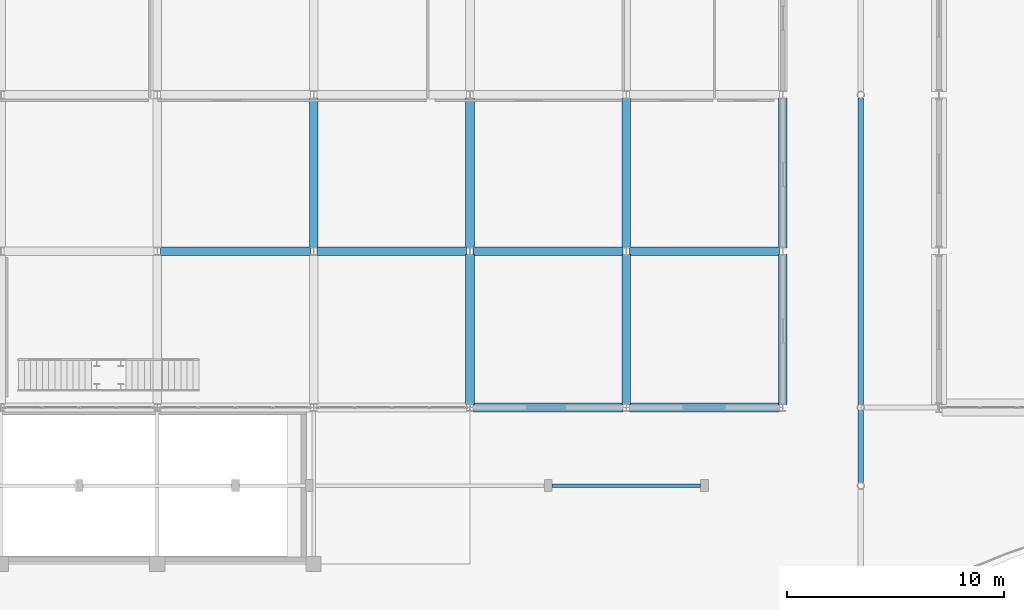
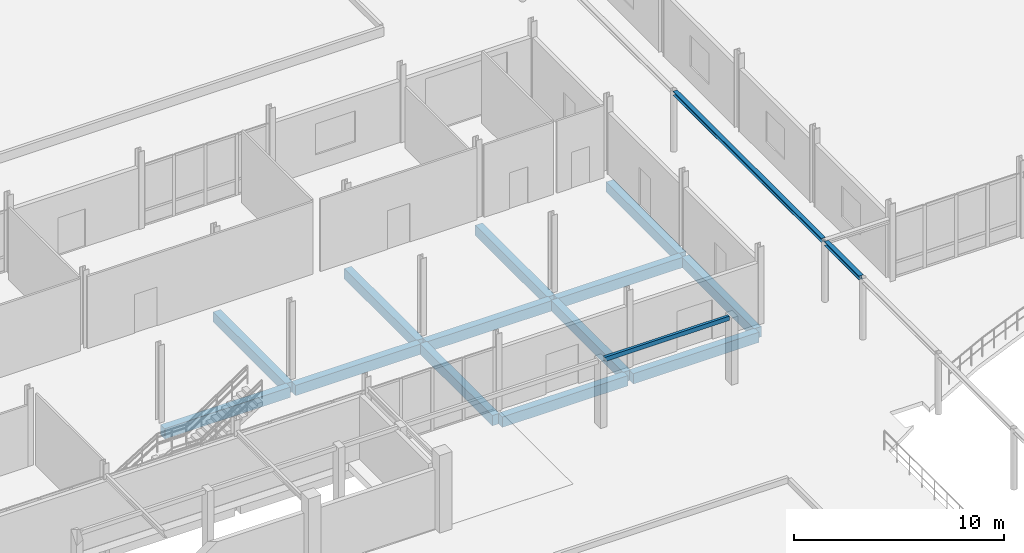
# One storey, part 34 of 139: 16 beams.
"""IFC4 building model written with IfcOpenShell, lengths in metres."""

from ifc_helpers import new_model, si_unit, direction, frame, origin, origin_2d, place, context, subcontext, project, spatial, rectangle, hollow_rectangle, i_section, extrude, material, material_profile, profile_set, type_object, element, save


model = new_model("IFC4")

# Units and contexts
model_context = context("Model", 3, precision=1e-05, world=origin(), true_north=direction((0.0, 1.0)))
body_context = subcontext(model_context, "Body", "Model", "MODEL_VIEW")
ifc_project = project(units=[si_unit("LENGTHUNIT", "METRE"), si_unit("AREAUNIT", "SQUARE_METRE"), si_unit("VOLUMEUNIT", "CUBIC_METRE"), si_unit("PLANEANGLEUNIT", "RADIAN"), si_unit("MASSUNIT", "GRAM", prefix="KILO")], contexts=[model_context])

# Site, building, storey
site_placement = place(None, origin())
site = spatial("IfcSite", under=ifc_project, at=site_placement, CompositionType="ELEMENT")
building_placement = place(site_placement, origin())
building = spatial("IfcBuilding", under=site, at=building_placement, Name="Suanplinth Sawtooth Commons", CompositionType="ELEMENT")
storey_placement = place(building_placement, origin())
storey = spatial("IfcBuildingStorey", under=building, at=storey_placement, Name="L00", CompositionType="ELEMENT", Elevation=0.0)

# Beams
ifc_material_1 = material(Name="Precast concrete C40/50", Category="concrete")
ifc_material_profile_1 = material_profile(ifc_material_1, rectangle(XDim=0.39990234375, YDim=0.60009765625, at=origin_2d()), Name="PC-GDR 400x600")
ifc_profile_set_1 = profile_set([ifc_material_profile_1], Name="Precast concrete C40/50")
beam_type_1 = type_object("IfcBeamType", Name="B-05", PredefinedType="USERDEFINED", material=ifc_profile_set_1)
for number, where, z_axis, x_axis, name in (
    (1, (28.949951171875, 57.60009765625, -0.7099609375), (1.0, 0.0, 0.0), (0.0, 1.0, 0.0), "BMX-L00-MKT-4-8"),
    (2, (36.14990234375, 57.60009765625, -0.7099609375), (1.0, 0.0, 0.0), (0.0, 1.0, 0.0), "BMX-L00-MKT-5-8"),
):
    element("IfcBeam", number, at=place(storey_placement, frame(where, z_axis=z_axis, x_axis=x_axis)), inside=storey, type_object=beam_type_1, Name=name, ObjectType="GIRDER", PredefinedType="USERDEFINED", context=body_context, shape_type="SweptSolid", body=[
        extrude(rectangle(XDim=0.39990234375, YDim=0.60009765625, at=origin_2d()), origin(), (0.0, 0.0, 1.0), 6.900146484375),
    ])
for number, where, z_axis, x_axis, name in (
    (3, (43.35009765625, 50.39990234375, -0.7099609375), (1.0, 0.0, 0.0), (0.0, 1.0, 0.0), "BMX-L00-MKT-6-7"),
    (4, (43.35009765625, 57.60009765625, -0.7099609375), (1.0, 0.0, 0.0), (0.0, 1.0, 0.0), "BMX-L00-MKT-6-8"),
    (5, (50.550048828125, 50.39990234375, -0.7099609375), (1.0, 0.0, 0.0), (0.0, 1.0, 0.0), "BMX-L00-MKT-7-7"),
    (6, (50.550048828125, 57.60009765625, -0.7099609375), (1.0, 0.0, 0.0), (0.0, 1.0, 0.0), "BMX-L00-MKT-7-8"),
    (7, (36.0, 57.75, -0.7099609375), (0.0, 1.0, 0.0), (-1.0, 0.0, 0.0), "BMY-L00-MKT-5-8"),
    (8, (43.199951171875, 50.550048828125, -0.7099609375), (0.0, 1.0, 0.0), (-1.0, 0.0, 0.0), "BMY-L00-MKT-6-7"),
    (9, (43.199951171875, 57.75, -0.7099609375), (0.0, 1.0, 0.0), (-1.0, 0.0, 0.0), "BMY-L00-MKT-6-8"),
    (10, (50.39990234375, 50.550048828125, -0.7099609375), (0.0, 1.0, 0.0), (-1.0, 0.0, 0.0), "BMY-L00-MKT-7-7"),
    (11, (50.39990234375, 57.75, -0.7099609375), (0.0, 1.0, 0.0), (-1.0, 0.0, 0.0), "BMY-L00-MKT-7-8"),
    (12, (57.60009765625, 50.550048828125, -0.7099609375), (0.0, 1.0, 0.0), (-1.0, 0.0, 0.0), "BMY-L00-MKT-8-7"),
    (13, (57.60009765625, 57.75, -0.7099609375), (0.0, 1.0, 0.0), (-1.0, 0.0, 0.0), "BMY-L00-MKT-8-8"),
):
    element("IfcBeam", number, at=place(storey_placement, frame(where, z_axis=z_axis, x_axis=x_axis)), inside=storey, type_object=beam_type_1, Name=name, ObjectType="GIRDER", PredefinedType="USERDEFINED", context=body_context, shape_type="SweptSolid", body=[
        extrude(rectangle(XDim=0.39990234375, YDim=0.60009765625, at=origin_2d()), origin(), (0.0, 0.0, 1.0), 6.89990234375),
    ])
ifc_material_2 = material(Name="Steel S355JR", Category="steel")
ifc_material_profile_2 = material_profile(ifc_material_2, i_section(OverallWidth=0.239990234375, OverallDepth=0.22998046875, WebThickness=0.007568359375, FlangeThickness=0.011962890625, at=origin_2d()), Name="HEA 240")
ifc_profile_set_2 = profile_set([ifc_material_profile_2], Name="Steel S355JR")
beam_type_2 = type_object("IfcBeamType", Name="B-17", PredefinedType="BEAM", material=ifc_profile_set_2)
beam_1_placement = place(storey_placement, frame((61.199951171875, 46.93994140625, 3.43994140625), z_axis=(0.0, 1.0, 0.0), x_axis=(-1.0, 0.0, 0.0)))
element("IfcBeam", 14, at=beam_1_placement, inside=storey, type_object=beam_type_2, Name="West Breezeway Spine Beam 5", PredefinedType="BEAM", context=body_context, shape_type="SweptSolid", body=[
    extrude(i_section(OverallWidth=0.239990234375, OverallDepth=0.22998046875, WebThickness=0.007568359375, FlangeThickness=0.011962890625, at=origin_2d()), origin(), (0.0, 0.0, 1.0), 3.320068359375),
])
beam_2_placement = place(storey_placement, frame((61.199951171875, 50.5400390625, 3.43994140625), z_axis=(0.0, 1.0, 0.0), x_axis=(-1.0, 0.0, 0.0)))
element("IfcBeam", 15, at=beam_2_placement, inside=storey, type_object=beam_type_2, Name="West Breezeway Spine Beam 6", PredefinedType="BEAM", context=body_context, shape_type="SweptSolid", body=[
    extrude(i_section(OverallWidth=0.239990234375, OverallDepth=0.22998046875, WebThickness=0.007568359375, FlangeThickness=0.011962890625, at=origin_2d()), origin(), (0.0, 0.0, 1.0), 14.119873046875),
])
ifc_material_profile_3 = material_profile(ifc_material_2, hollow_rectangle(XDim=0.14990234375, YDim=0.25, WallThickness=0.010009765625, at=origin_2d()), Name="RHS 250x150x10")
ifc_profile_set_3 = profile_set([ifc_material_profile_3], Name="Steel S355JR")
beam_type_3 = type_object("IfcBeamType", Name="B-18", PredefinedType="BEAM", material=ifc_profile_set_3)
beam_3_placement = place(storey_placement, frame((46.97998046875, 46.800048828125, 3.77490234375), z_axis=(1.0, 0.0, 0.0), x_axis=(0.0, 1.0, 0.0)))
element("IfcBeam", 16, at=beam_3_placement, inside=storey, type_object=beam_type_3, Name="Market Porch Edge Beam 5", PredefinedType="BEAM", context=body_context, shape_type="SweptSolid", body=[
    extrude(hollow_rectangle(XDim=0.14990234375, YDim=0.25, WallThickness=0.010009765625, at=origin_2d()), origin(), (0.0, 0.0, 1.0), 6.840087890625),
])

save(model, "model.ifc")
